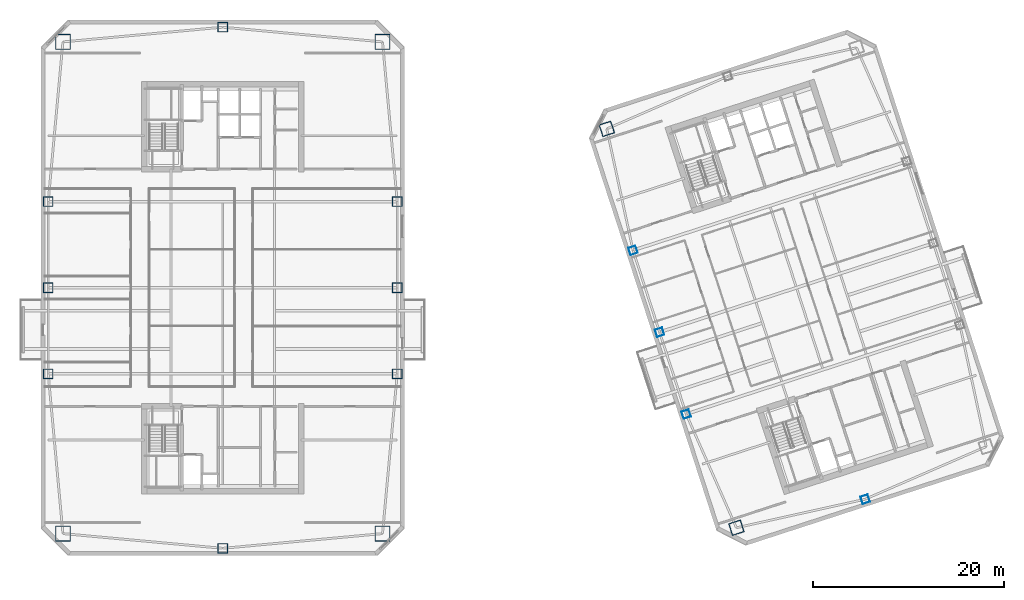
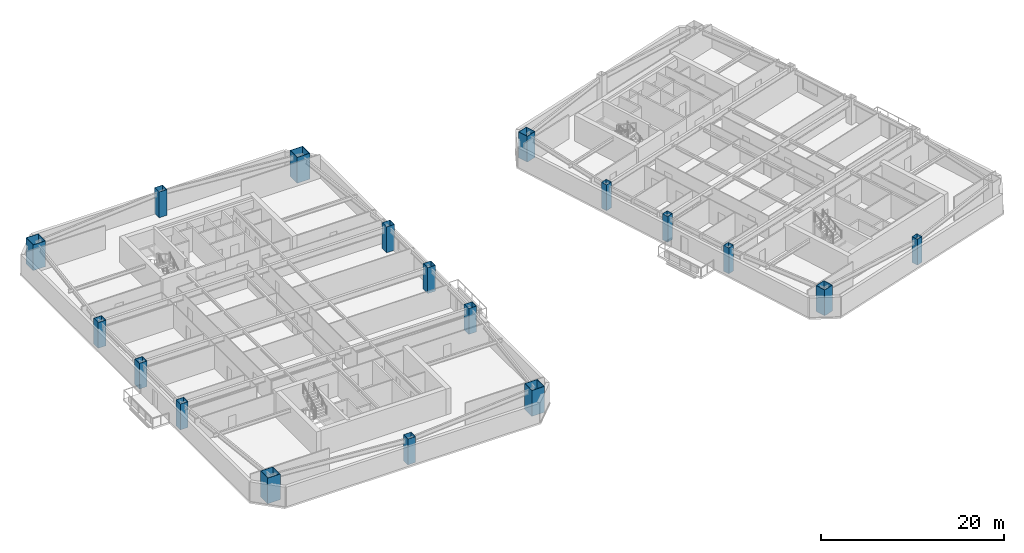
# One storey, part 1 of 22: 18 columns.
"""IFC4 building model written with IfcOpenShell, lengths in metres."""

from ifc_helpers import new_model, si_unit, direction, frame, origin, origin_2d, place, context, subcontext, project, spatial, hollow_rectangle, extrude, material, material_profile, profile_set, type_object, element, save


model = new_model("IFC4")

# Units and contexts
model_context = context("Model", 3, precision=1e-05, world=origin(), true_north=direction((0.0, 1.0)))
body_context = subcontext(model_context, "Body", "Model", "MODEL_VIEW")
ifc_project = project(units=[si_unit("LENGTHUNIT", "METRE"), si_unit("AREAUNIT", "SQUARE_METRE"), si_unit("VOLUMEUNIT", "CUBIC_METRE"), si_unit("PLANEANGLEUNIT", "RADIAN"), si_unit("MASSUNIT", "GRAM", prefix="KILO")], contexts=[model_context])

# Site, building, storey
site_placement = place(None, origin())
site = spatial("IfcSite", under=ifc_project, at=site_placement, CompositionType="ELEMENT")
building_placement = place(site_placement, origin())
building = spatial("IfcBuilding", under=site, at=building_placement, Name="Qiaolan Cultural Towers", CompositionType="ELEMENT")
storey_placement = place(building_placement, frame((0.0, 0.0, 146.050048828125)))
storey = spatial("IfcBuildingStorey", under=building, at=storey_placement, Name="L38", CompositionType="ELEMENT", Elevation=146.050048828125)

# Columns
ifc_material_1 = material(Name="Steel Q355B", Category="steel")
ifc_material_profile_1 = material_profile(ifc_material_1, hollow_rectangle(XDim=1.0, YDim=1.0, WallThickness=0.035888671875, at=origin_2d()), Name="BOX1000x1000x36")
ifc_profile_set_1 = profile_set([ifc_material_profile_1], Name="Steel Q355B")
column_type_1 = type_object("IfcColumnType", Name="COL-BOX1000x1000x36", PredefinedType="COLUMN", material=ifc_profile_set_1)
for number, where, z_axis, x_axis, name in (
    (1, (11.75, 25.0, 0.0), (0.0, 0.0, 1.0), (1.0, 0.0, 0.0), "L38 T1 Perimeter Column PC-W1"),
    (2, (11.75, 34.0, 0.0), (0.0, 0.0, 1.0), (1.0, 0.0, 0.0), "L38 T1 Perimeter Column PC-W2"),
    (3, (11.75, 43.0, 0.0), (0.0, 0.0, 1.0), (1.0, 0.0, 0.0), "L38 T1 Perimeter Column PC-W3"),
    (4, (48.25, 25.0, 0.0), (0.0, 0.0, 1.0), (1.0, 0.0, 0.0), "L38 T1 Perimeter Column PC-E1"),
    (5, (48.25, 34.0, 0.0), (0.0, 0.0, 1.0), (1.0, 0.0, 0.0), "L38 T1 Perimeter Column PC-E2"),
    (6, (48.25, 43.0, 0.0), (0.0, 0.0, 1.0), (1.0, 0.0, 0.0), "L38 T1 Perimeter Column PC-E3"),
    (7, (30.0, 6.75, 0.0), (0.0, 0.0, 1.0), (1.0, 0.0, 0.0), "L38 T1 Perimeter Column PC-S0"),
    (8, (30.0, 61.25, 0.0), (0.0, 0.0, 1.0), (1.0, 0.0, 0.0), "L38 T1 Perimeter Column PC-N0"),
):
    element("IfcColumn", number, at=place(storey_placement, frame(where, z_axis=z_axis, x_axis=x_axis)), inside=storey, type_object=column_type_1, Name=name, PredefinedType="COLUMN", context=body_context, shape_type="SweptSolid", body=[
        extrude(hollow_rectangle(XDim=1.0, YDim=1.0, WallThickness=0.035888671875, at=origin_2d()), origin(), (0.0, 0.0, 1.0), 3.450927734375),
    ])
ifc_material_2 = material(Name="Steel Q390GJB", Category="steel")
ifc_material_profile_2 = material_profile(ifc_material_2, hollow_rectangle(XDim=1.300048828125, YDim=1.300048828125, WallThickness=0.044921875, at=origin_2d()), Name="BOX1300x1300x45")
ifc_profile_set_2 = profile_set([ifc_material_profile_2], Name="Steel Q390GJB")
column_type_2 = type_object("IfcColumnType", Name="COL-BOX1300x1300x45", PredefinedType="COLUMN", material=ifc_profile_set_2)
for number, where, z_axis, x_axis, name in (
    (9, (83.71875, 8.900634765625, 0.0), (0.0, 0.0, 1.0), (0.951056516295, 0.309016994375, 0.0), "L38 T2 Perimeter Column MC-SW"),
    (10, (70.165283203125, 50.61376953125, 0.0), (0.0, 0.0, 1.0), (0.951056516295, 0.309016994375, 0.0), "L38 T2 Perimeter Column MC-NW"),
):
    element("IfcColumn", number, at=place(storey_placement, frame(where, z_axis=z_axis, x_axis=x_axis)), inside=storey, type_object=column_type_2, Name=name, PredefinedType="COLUMN", context=body_context, shape_type="SweptSolid", body=[
        extrude(hollow_rectangle(XDim=1.300048828125, YDim=1.300048828125, WallThickness=0.044921875, at=origin_2d()), origin(), (0.0, 0.0, 1.0), 3.450927734375),
    ])
ifc_material_3 = material(Name="Steel Q420GJB", Category="steel")
ifc_material_profile_3 = material_profile(ifc_material_3, hollow_rectangle(XDim=1.60009765625, YDim=1.60009765625, WallThickness=0.054931640625, at=origin_2d()), Name="BOX1600x1600x55")
ifc_profile_set_3 = profile_set([ifc_material_profile_3], Name="Steel Q420GJB")
column_type_3 = type_object("IfcColumnType", Name="COL-BOX1600x1600x55", PredefinedType="COLUMN", material=ifc_profile_set_3)
for number, where, z_axis, x_axis, name in (
    (11, (13.2900390625, 8.2900390625, 0.0), (0.0, 0.0, 1.0), (1.0, 0.0, 0.0), "L38 T1 Perimeter Column MC-SW"),
    (12, (46.7099609375, 8.2900390625, 0.0), (0.0, 0.0, 1.0), (1.0, 0.0, 0.0), "L38 T1 Perimeter Column MC-SE"),
    (13, (46.7099609375, 59.7099609375, 0.0), (0.0, 0.0, 1.0), (1.0, 0.0, 0.0), "L38 T1 Perimeter Column MC-NE"),
    (14, (13.2900390625, 59.7099609375, 0.0), (0.0, 0.0, 1.0), (1.0, 0.0, 0.0), "L38 T1 Perimeter Column MC-NW"),
):
    element("IfcColumn", number, at=place(storey_placement, frame(where, z_axis=z_axis, x_axis=x_axis)), inside=storey, type_object=column_type_3, Name=name, PredefinedType="COLUMN", context=body_context, shape_type="SweptSolid", body=[
        extrude(hollow_rectangle(XDim=1.60009765625, YDim=1.60009765625, WallThickness=0.054931640625, at=origin_2d()), origin(), (0.0, 0.0, 1.0), 3.450927734375),
    ])
ifc_material_4 = material(Name="Steel Q355B", Category="steel")
ifc_material_profile_4 = material_profile(ifc_material_4, hollow_rectangle(XDim=0.800048828125, YDim=0.800048828125, WallThickness=0.028076171875, at=origin_2d()), Name="BOX800x800x28")
ifc_profile_set_4 = profile_set([ifc_material_profile_4], Name="Steel Q355B")
column_type_4 = type_object("IfcColumnType", Name="COL-BOX800x800x28", PredefinedType="COLUMN", material=ifc_profile_set_4)
for number, where, z_axis, x_axis, name in (
    (15, (78.4677734375, 20.789794921875, 0.0), (0.0, 0.0, 1.0), (0.951056516295, 0.309016994375, 0.0), "L38 T2 Perimeter Column PC-W1"),
    (16, (75.6865234375, 29.349365234375, 0.0), (0.0, 0.0, 1.0), (0.951056516295, 0.309016994375, 0.0), "L38 T2 Perimeter Column PC-W2"),
    (17, (72.905517578125, 37.90869140625, 0.0), (0.0, 0.0, 1.0), (0.951056516295, 0.309016994375, 0.0), "L38 T2 Perimeter Column PC-W3"),
    (18, (97.1845703125, 11.887939453125, 0.0), (0.0, 0.0, 1.0), (0.951056516295, 0.309016994375, 0.0), "L38 T2 Perimeter Column PC-S0"),
):
    element("IfcColumn", number, at=place(storey_placement, frame(where, z_axis=z_axis, x_axis=x_axis)), inside=storey, type_object=column_type_4, Name=name, PredefinedType="COLUMN", context=body_context, shape_type="SweptSolid", body=[
        extrude(hollow_rectangle(XDim=0.800048828125, YDim=0.800048828125, WallThickness=0.028076171875, at=origin_2d()), origin(), (0.0, 0.0, 1.0), 3.450927734375),
    ])

save(model, "model.ifc")
